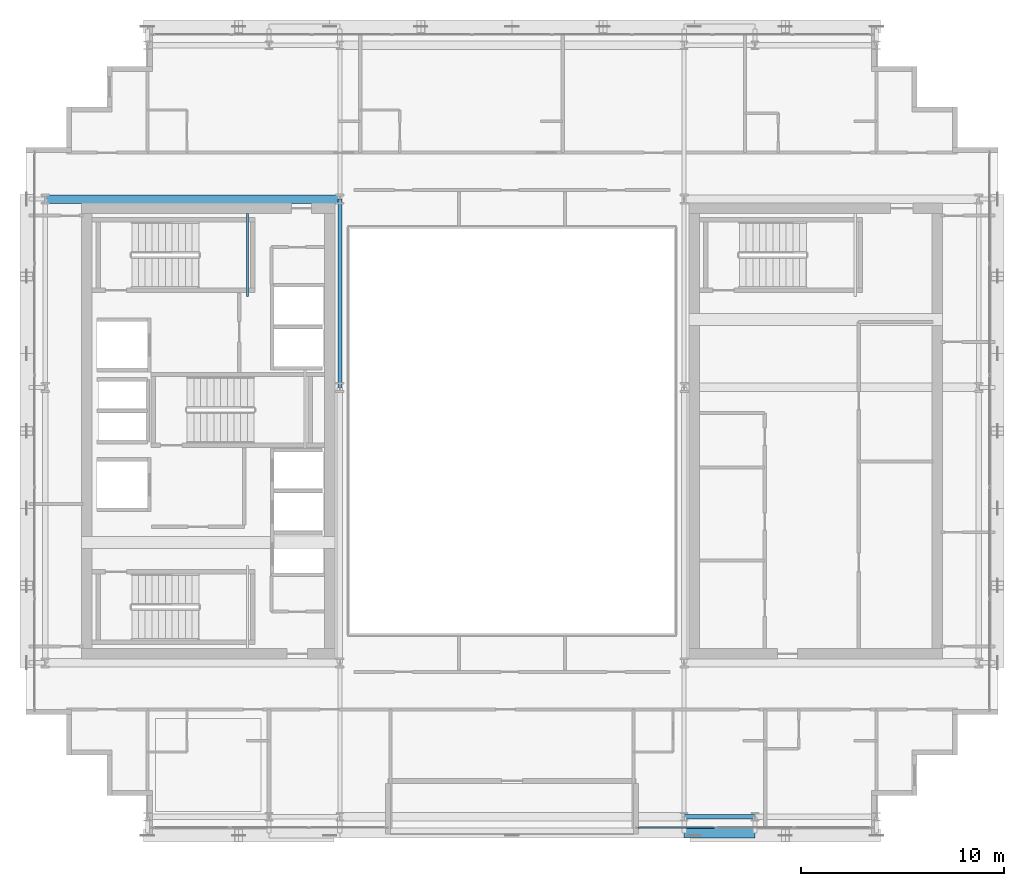
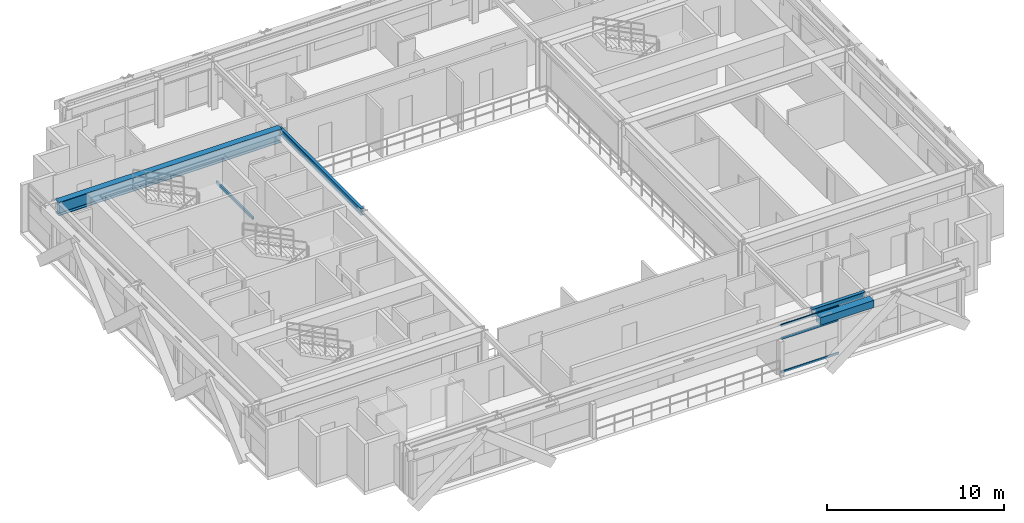
# One storey, part 9 of 32: 5 beams, 3 members, 1 element without a shape of its own.
"""IFC4 building model written with IfcOpenShell, lengths in metres."""

import ifcopenshell
import ifcopenshell.guid

model = None  # the IFC model being written
_history = None  # IfcOwnerHistory: only IFC2X3 demands one
_inside = {}  # id of a spatial element -> (the spatial element, [elements in it])
_under = {}  # id of a project, library or spatial element -> (it, [spatial elements below it])
_declared = {}  # id of a project -> (the project, [libraries it declares])
_typed = {}  # id of a type object -> (the type object, [elements of that type])
_made_of = {}  # id of a material, layer set ... -> (it, [elements and type objects made of it])


def new_model(schema):
    """Start an empty IFC model of exactly this schema.

    Asked for "IFC4X3", IfcOpenShell would pick the latest addendum, in which some entities
    have other attributes; the version numbers below select the first issue.
    IFC2X3 requires an IfcOwnerHistory on every rooted entity: one is made here for all.
    """
    global model, _history
    if schema == "IFC4X3":
        model = ifcopenshell.file(schema_version=(4, 3, 0, 0))
    else:
        model = ifcopenshell.file(schema=schema)
    _inside.clear()
    _under.clear()
    _declared.clear()
    _typed.clear()
    _made_of.clear()
    _history = None
    if model.schema == "IFC2X3":
        org = make("IfcOrganization", Name="unknown")
        user = make(
            "IfcPersonAndOrganization",
            ThePerson=make("IfcPerson", FamilyName="unknown"),
            TheOrganization=org,
        )
        app = make(
            "IfcApplication",
            ApplicationDeveloper=org,
            Version="unknown",
            ApplicationFullName="unknown",
            ApplicationIdentifier="unknown",
        )
        _history = make(
            "IfcOwnerHistory",
            OwningUser=user,
            OwningApplication=app,
            ChangeAction="ADDED",
            CreationDate=0,
        )
    return model


def make(cls, **values):
    """One entity of the class cls with the attributes given. An attribute that is None is left unset."""
    return model.create_entity(
        cls, **{name: value for name, value in values.items() if value is not None}
    )


def rooted(cls, **values):
    """An entity with a GlobalId (a new one), such as an element, a storey or a relation."""
    return make(cls, GlobalId=ifcopenshell.guid.new(), OwnerHistory=_history, **values)


def si_unit(unit_type, name, prefix=None):
    """IfcSIUnit, for example si_unit("LENGTHUNIT", "METRE", prefix="MILLI")."""
    return make("IfcSIUnit", UnitType=unit_type, Prefix=prefix, Name=name)


def assignment(units):
    """IfcUnitAssignment: the units of a project."""
    return None if units is None else make("IfcUnitAssignment", Units=units)


def point(xyz):
    """IfcCartesianPoint."""
    return None if xyz is None else make("IfcCartesianPoint", Coordinates=xyz)


def direction(xyz):
    """IfcDirection."""
    return None if xyz is None else make("IfcDirection", DirectionRatios=xyz)


def frame(location, z_axis=None, x_axis=None):
    """IfcAxis2Placement3D, a coordinate frame: its origin and axes. An axis left out is left unset."""
    return make(
        "IfcAxis2Placement3D",
        Location=point(location),
        Axis=direction(z_axis),
        RefDirection=direction(x_axis),
    )


def frame_2d(location, x_axis=None):
    """IfcAxis2Placement2D, a coordinate frame in the plane: its origin and x axis."""
    return make(
        "IfcAxis2Placement2D", Location=point(location), RefDirection=direction(x_axis)
    )


def origin():
    """The frame at (0, 0, 0) with its axes left unset."""
    return frame((0.0, 0.0, 0.0))


def origin_2d():
    """The frame at (0, 0) in the plane with its x axis left unset."""
    return frame_2d((0.0, 0.0))


def place(relative_to, where):
    """IfcLocalPlacement: puts the frame where relative to a parent placement (None: the world)."""
    return make(
        "IfcLocalPlacement", PlacementRelTo=relative_to, RelativePlacement=where
    )


def context(
    kind, dimensions, precision=None, world=None, true_north=None, identifier=None
):
    """IfcGeometricRepresentationContext, for example the 3D "Model" context."""
    return make(
        "IfcGeometricRepresentationContext",
        ContextIdentifier=identifier,
        ContextType=kind,
        CoordinateSpaceDimension=dimensions,
        Precision=precision,
        WorldCoordinateSystem=world,
        TrueNorth=true_north,
    )


def subcontext(parent, identifier, kind, view, scale=None):
    """IfcGeometricRepresentationSubContext, for example "Body" below "Model"."""
    return make(
        "IfcGeometricRepresentationSubContext",
        ContextIdentifier=identifier,
        ContextType=kind,
        ParentContext=parent,
        TargetScale=scale,
        TargetView=view,
    )


def project(units=None, contexts=None):
    """IfcProject with its units and contexts."""
    return rooted(
        "IfcProject",
        Name="project",
        RepresentationContexts=contexts,
        UnitsInContext=assignment(units),
    )


def spatial(cls, under=None, at=None, **own):
    """A site, building, storey or space (cls), placed at a placement, below another one or the project."""
    s = rooted(cls, ObjectPlacement=at, **own)
    if under is not None:
        _under.setdefault(under.id(), (under, []))[1].append(s)
    return s


def profile(cls, at=None, kind="AREA", **sizes):
    """A parametric profile (cls). Its sizes go by their IFC names, for example OverallWidth=200.0."""
    return make(cls, ProfileType=kind, Position=at, **sizes)


def hollow_rectangle(**sizes):
    """IfcRectangleHollowProfileDef."""
    return profile("IfcRectangleHollowProfileDef", **sizes)


def i_section(**sizes):
    """IfcIShapeProfileDef."""
    return profile("IfcIShapeProfileDef", **sizes)


def extrude(swept, where, along, depth):
    """IfcExtrudedAreaSolid: the profile swept, set in the frame where, extruded along a direction by depth."""
    return make(
        "IfcExtrudedAreaSolid",
        SweptArea=swept,
        Position=where,
        ExtrudedDirection=direction(along),
        Depth=depth,
    )


def shape(context_of_items, identifier, shape_type, items):
    """IfcShapeRepresentation: the items that make up one representation, for example the "Body"."""
    return make(
        "IfcShapeRepresentation",
        ContextOfItems=context_of_items,
        RepresentationIdentifier=identifier,
        RepresentationType=shape_type,
        Items=items,
    )


def source(mapping_origin, context_of_items, identifier, shape_type, items):
    """IfcRepresentationMap: a shape defined once, which mapped items show again and again."""
    return make(
        "IfcRepresentationMap",
        MappingOrigin=mapping_origin,
        MappedRepresentation=shape(context_of_items, identifier, shape_type, items),
    )


def transform(
    local_origin,
    x_axis=None,
    y_axis=None,
    z_axis=None,
    scale=None,
    scale2=None,
    scale3=None,
    uniform=True,
):
    """IfcCartesianTransformationOperator3D, or its non-uniform kind. x_axis, y_axis, z_axis: its Axis1, 2, 3."""
    if uniform:
        return make(
            "IfcCartesianTransformationOperator3D",
            Axis1=direction(x_axis),
            Axis2=direction(y_axis),
            LocalOrigin=point(local_origin),
            Scale=scale,
            Axis3=direction(z_axis),
        )
    return make(
        "IfcCartesianTransformationOperator3DnonUniform",
        Axis1=direction(x_axis),
        Axis2=direction(y_axis),
        LocalOrigin=point(local_origin),
        Scale=scale,
        Axis3=direction(z_axis),
        Scale2=scale2,
        Scale3=scale3,
    )


def mapped(mapping_source, mapping_target):
    """IfcMappedItem: shows the shape of a source again, moved by a transform."""
    return make(
        "IfcMappedItem", MappingSource=mapping_source, MappingTarget=mapping_target
    )


def material(Name=None, Category=None):
    """IfcMaterial."""
    return make("IfcMaterial", Name=Name, Category=Category)


def layer(
    of_material, thickness, ventilated=None, Name=None, Category=None, Priority=None
):
    """IfcMaterialLayer: one layer of a wall or slab, of a material (None: an air gap)."""
    return make(
        "IfcMaterialLayer",
        Material=of_material,
        LayerThickness=thickness,
        IsVentilated=ventilated,
        Name=Name,
        Category=Category,
        Priority=Priority,
    )


def layer_set(layers, Name=None):
    """IfcMaterialLayerSet."""
    return make("IfcMaterialLayerSet", MaterialLayers=layers, LayerSetName=Name)


def material_profile(
    of_material, cross_section, Name=None, Category=None, Priority=None
):
    """IfcMaterialProfile: a cross section and its material."""
    return make(
        "IfcMaterialProfile",
        Name=Name,
        Material=of_material,
        Profile=cross_section,
        Priority=Priority,
        Category=Category,
    )


def profile_set(profiles, Name=None, composite=None):
    """IfcMaterialProfileSet."""
    return make(
        "IfcMaterialProfileSet",
        Name=Name,
        MaterialProfiles=profiles,
        CompositeProfile=composite,
    )


def made_of(thing, what):
    """Note that an element or type object is made of a material, layer set ...; save() writes the relation."""
    if what is not None:
        _made_of.setdefault(what.id(), (what, []))[1].append(thing)
    return thing


def type_object(cls, material=None, **own):
    """A type object (cls), such as IfcWallType, which elements share."""
    return made_of(rooted(cls, **own), material)


def element(
    cls,
    number,
    at=None,
    inside=None,
    cuts=None,
    type_object=None,
    material=None,
    context=None,
    identifier="Body",
    shape_type=None,
    held_by="IfcProductDefinitionShape",
    body=None,
    shapes=None,
    **own,
):
    """One element of the class cls, such as IfcWall. Its Tag is "e" and its number.

    at: its placement. inside: the storey or other place that contains it. cuts: it is an
    opening in that element (IfcRelVoidsElement). A single representation is given by context,
    identifier, shape_type and body (its items); several are given by shapes. held_by: the class
    of the entity that holds the representations. save() writes the other relations.
    """
    e = rooted(cls, Tag="e%d" % number, ObjectPlacement=at, **own)
    if body is not None:
        shapes = [shape(context, identifier, shape_type, body)]
    if shapes is not None:
        e.Representation = make(held_by, Representations=shapes)
    if inside is not None:
        _inside.setdefault(inside.id(), (inside, []))[1].append(e)
    if cuts is not None:
        rooted(
            "IfcRelVoidsElement", RelatingBuildingElement=cuts, RelatedOpeningElement=e
        )
    if type_object is not None:
        _typed.setdefault(type_object.id(), (type_object, []))[1].append(e)
    return made_of(e, material)


def aggregate(whole, parts):
    """IfcRelAggregates: a whole, such as a stair, and the parts it consists of."""
    return rooted("IfcRelAggregates", RelatingObject=whole, RelatedObjects=parts)


def save(model, path):
    """Write the relations noted so far, then the file.

    IfcRelAggregates (storeys below a building ...), IfcRelContainedInSpatialStructure (elements
    in a storey), IfcRelDefinesByType, IfcRelAssociatesMaterial and IfcRelDeclares: one each for
    every whole, place, type object, material and project.
    """
    for whole, parts in _under.values():
        aggregate(whole, parts)
    for where, things in _inside.values():
        rooted(
            "IfcRelContainedInSpatialStructure",
            RelatedElements=things,
            RelatingStructure=where,
        )
    for kind, things in _typed.values():
        rooted("IfcRelDefinesByType", RelatedObjects=things, RelatingType=kind)
    for what, things in _made_of.values():
        rooted("IfcRelAssociatesMaterial", RelatedObjects=things, RelatingMaterial=what)
    for by, libraries in _declared.values():
        rooted("IfcRelDeclares", RelatingContext=by, RelatedDefinitions=libraries)
    model.write(path)


model = new_model("IFC4")

# Units and contexts
model_context = context("Model", 3, precision=1e-05, world=origin(), true_north=direction((0.0, 1.0)))
body_context = subcontext(model_context, "Body", "Model", "MODEL_VIEW")
ifc_project = project(units=[si_unit("LENGTHUNIT", "METRE"), si_unit("AREAUNIT", "SQUARE_METRE"), si_unit("VOLUMEUNIT", "CUBIC_METRE"), si_unit("PLANEANGLEUNIT", "RADIAN"), si_unit("MASSUNIT", "GRAM", prefix="KILO")], contexts=[model_context])

# Site, building, storey
site_placement = place(None, origin())
site = spatial("IfcSite", under=ifc_project, at=site_placement, CompositionType="ELEMENT")
building_placement = place(site_placement, origin())
building = spatial("IfcBuilding", under=site, at=building_placement, Name="Ocotamira Hotel", CompositionType="ELEMENT")
storey_placement = place(building_placement, frame((0.0, 0.0, 217.199951171875)))
storey = spatial("IfcBuildingStorey", under=building, at=storey_placement, Name="L55", CompositionType="ELEMENT", Elevation=217.199951171875)

# Beams
ifc_material_1 = material(Name="Steel ASTM A500 Grade C", Category="steel")
ifc_material_profile_1 = material_profile(ifc_material_1, hollow_rectangle(XDim=0.10009765625, YDim=0.199951171875, WallThickness=0.008056640625, at=origin_2d()), Name="HSS200X100X8")
ifc_profile_set_1 = profile_set([ifc_material_profile_1], Name="Steel ASTM A500 Grade C")
beam_type_1 = type_object("IfcBeamType", Name="BM-STLDG-HSS200", PredefinedType="BEAM", material=ifc_profile_set_1)
shared_shape_1 = source(origin(), body_context, "Body", "SweptSolid", [
    extrude(hollow_rectangle(XDim=0.10009765625, YDim=0.199951171875, WallThickness=0.008056640625, at=origin_2d()), origin(), (0.0, 0.0, 1.0), 4.1201171875),
])
beam_1_placement = place(storey_placement, frame((18.949951171875, 32.6298828125, 1.5), z_axis=(0.0, 1.0, 0.0), x_axis=(-1.0, 0.0, 0.0)))
element("IfcBeam", 1, at=beam_1_placement, inside=storey, type_object=beam_type_1, Name="L55 Stair ST-2 Landing Bearer 1", PredefinedType="BEAM", context=body_context, shape_type="MappedRepresentation", body=[
    mapped(shared_shape_1, transform((0.0, 0.0, 0.0), scale=1.0)),
])
ifc_material_2 = material(Name="Steel ASTM A992 Grade 50", Category="steel")
ifc_material_profile_2 = material_profile(ifc_material_2, i_section(OverallWidth=0.41796875, OverallDepth=0.927001953125, WebThickness=0.019287109375, FlangeThickness=0.031982421875, FilletRadius=0.02392578125, at=origin_2d()), Name="W36X231")
ifc_profile_set_2 = profile_set([ifc_material_profile_2], Name="Steel ASTM A992 Grade 50")
beam_type_2 = type_object("IfcBeamType", Name="BM-GIRD-W36X231", PredefinedType="BEAM", material=ifc_profile_set_2)
shared_shape_2 = source(origin(), body_context, "Body", "SweptSolid", [
    extrude(i_section(OverallWidth=0.41796875, OverallDepth=0.927001953125, WebThickness=0.019287109375, FlangeThickness=0.031982421875, FilletRadius=0.02392578125, at=origin_2d()), origin(), (0.0, 0.0, 1.0), 14.550048828125),
])
beam_2_placement = place(storey_placement, frame((8.949951171875, 37.449951171875, 2.816650390625), z_axis=(1.0, 0.0, 0.0), x_axis=(0.0, 1.0, 0.0)))
element("IfcBeam", 2, at=beam_2_placement, inside=storey, type_object=beam_type_2, Name="L55 Girder Y37.45 X8.95-23.5", PredefinedType="BEAM", context=body_context, shape_type="MappedRepresentation", body=[
    mapped(shared_shape_2, transform((0.0, 0.0, 0.0), scale=1.0)),
])
ifc_material_profile_3 = material_profile(ifc_material_2, i_section(OverallWidth=0.2099609375, OverallDepth=0.537109375, WebThickness=0.010986328125, FlangeThickness=0.017333984375, FilletRadius=0.012939453125, at=origin_2d()), Name="W21X68")
ifc_profile_set_3 = profile_set([ifc_material_profile_3], Name="Steel ASTM A992 Grade 50")
beam_type_3 = type_object("IfcBeamType", Name="BM-SEC-W21X68", PredefinedType="JOIST", material=ifc_profile_set_3)
shared_shape_3 = source(origin(), body_context, "Body", "SweptSolid", [
    extrude(i_section(OverallWidth=0.2099609375, OverallDepth=0.537109375, WebThickness=0.010986328125, FlangeThickness=0.017333984375, FilletRadius=0.012939453125, at=origin_2d()), origin(), (0.0, 0.0, 1.0), 3.5),
])
beam_3_placement = place(storey_placement, frame((40.5, 6.949951171875, 3.011474609375), z_axis=(1.0, 0.0, 0.0), x_axis=(0.0, 1.0, 0.0)))
element("IfcBeam", 3, at=beam_3_placement, inside=storey, type_object=beam_type_3, Name="L55 Girder Y6.95 X40.5-44", PredefinedType="JOIST", context=body_context, shape_type="MappedRepresentation", body=[
    mapped(shared_shape_3, transform((0.0, 0.0, 0.0), scale=1.0)),
])
ifc_material_profile_4 = material_profile(ifc_material_2, i_section(OverallWidth=0.18994140625, OverallDepth=0.45703125, WebThickness=0.009033203125, FlangeThickness=0.014404296875, FilletRadius=0.010009765625, at=origin_2d()), Name="W18X50")
ifc_profile_set_4 = profile_set([ifc_material_profile_4], Name="Steel ASTM A992 Grade 50")
beam_type_4 = type_object("IfcBeamType", Name="BM-SEC-W18X50", PredefinedType="JOIST", material=ifc_profile_set_4)
shared_shape_4 = source(origin(), body_context, "Body", "SweptSolid", [
    extrude(i_section(OverallWidth=0.18994140625, OverallDepth=0.45703125, WebThickness=0.009033203125, FlangeThickness=0.014404296875, FilletRadius=0.010009765625, at=origin_2d()), origin(), (0.0, 0.0, 1.0), 9.300048828125),
])
beam_4_placement = place(storey_placement, frame((23.5, 28.14990234375, 3.051513671875), z_axis=(0.0, 1.0, 0.0), x_axis=(-1.0, 0.0, 0.0)))
element("IfcBeam", 4, at=beam_4_placement, inside=storey, type_object=beam_type_4, Name="L55 Beam X23.5 Y28.15-37.45", PredefinedType="JOIST", context=body_context, shape_type="MappedRepresentation", body=[
    mapped(shared_shape_4, transform((0.0, 0.0, 0.0), scale=1.0)),
])
ifc_material_profile_5 = material_profile(ifc_material_1, hollow_rectangle(XDim=0.5, YDim=0.5, WallThickness=0.02001953125, at=origin_2d()), Name="HSS500X500X20")
ifc_profile_set_5 = profile_set([ifc_material_profile_5], Name="Steel ASTM A500 Grade C")
beam_type_5 = type_object("IfcBeamType", Name="BM-SPAN-HSS500", PredefinedType="USERDEFINED", material=ifc_profile_set_5)
shared_shape_5 = source(origin(), body_context, "Body", "SweptSolid", [
    extrude(hollow_rectangle(XDim=0.5, YDim=0.5, WallThickness=0.02001953125, at=origin_2d()), origin(), (0.0, 0.0, 1.0), 3.5),
])
beam_5_placement = place(storey_placement, frame((40.5, 6.14990234375, 3.030029296875), z_axis=(1.0, 0.0, 0.0), x_axis=(0.0, 1.0, 0.0)))
element("IfcBeam", 5, at=beam_5_placement, inside=storey, type_object=beam_type_5, Name="L55 Edge Spandrel S X40.5-44", ObjectType="SPANDREL", PredefinedType="USERDEFINED", context=body_context, shape_type="MappedRepresentation", body=[
    mapped(shared_shape_5, transform((0.0, 0.0, 0.0), scale=1.0)),
])

# Curtain wall, members
ifc_material_3 = material(Name="Anodised pale-metal aluminium and solar glass", Category="aluminium")
ifc_layer = layer(ifc_material_3, 0.199951171875)
ifc_layer_set = layer_set([ifc_layer], Name="Anodised pale-metal aluminium and solar glass")
curtain_wall_type = type_object("IfcCurtainWallType", Name="CW-SYS4-Z3", PredefinedType="NOTDEFINED", material=ifc_layer_set)
curtain_wall_placement = place(storey_placement, origin())
curtain_wall = element("IfcCurtainWall", 6, at=curtain_wall_placement, inside=storey, type_object=curtain_wall_type, Name="L55 Curtain Wall CW-4 CW-L55-S2", PredefinedType="NOTDEFINED")
ifc_material_4 = material(Name="Anodised pale-metal aluminium 6063-T6", Category="aluminium")
ifc_material_profile_6 = material_profile(ifc_material_4, hollow_rectangle(XDim=0.074951171875, YDim=0.14990234375, WallThickness=0.006103515625, at=origin_2d()), Name="HSS150X75X6")
ifc_profile_set_6 = profile_set([ifc_material_profile_6], Name="Anodised pale-metal aluminium 6063-T6")
member_type = type_object("IfcMemberType", Name="CWT-150X75", PredefinedType="USERDEFINED", material=ifc_profile_set_6)
shared_shape_6 = source(origin(), body_context, "Body", "SweptSolid", [
    extrude(hollow_rectangle(XDim=0.074951171875, YDim=0.14990234375, WallThickness=0.006103515625, at=origin_2d()), origin(), (0.0, 0.0, 1.0), 3.763427734375),
])
member_1_placement = place(storey_placement, frame((38.22998046875, 6.419921875, 0.03759765625), z_axis=(1.0, 0.0, 0.0), x_axis=(0.0, 1.0, 0.0)))
member_1 = element("IfcMember", 7, at=member_1_placement, type_object=member_type, Name="CW-4 transom 1.1", ObjectType="TRANSOM", PredefinedType="USERDEFINED", context=body_context, shape_type="MappedRepresentation", body=[
    mapped(shared_shape_6, transform((0.0, 0.0, 0.0), scale=1.0)),
])
member_2_placement = place(storey_placement, frame((38.22998046875, 6.419921875, 2.35009765625), z_axis=(1.0, 0.0, 0.0), x_axis=(0.0, 1.0, 0.0)))
member_2 = element("IfcMember", 8, at=member_2_placement, type_object=member_type, Name="CW-4 transom 1.2", ObjectType="TRANSOM", PredefinedType="USERDEFINED", context=body_context, shape_type="MappedRepresentation", body=[
    mapped(shared_shape_6, transform((0.0, 0.0, 0.0), scale=1.0)),
])
member_3_placement = place(storey_placement, frame((38.22998046875, 6.419921875, 3.242431640625), z_axis=(1.0, 0.0, 0.0), x_axis=(0.0, 1.0, 0.0)))
member_3 = element("IfcMember", 9, at=member_3_placement, type_object=member_type, Name="CW-4 transom 1.3", ObjectType="TRANSOM", PredefinedType="USERDEFINED", context=body_context, shape_type="MappedRepresentation", body=[
    mapped(shared_shape_6, transform((0.0, 0.0, 0.0), scale=1.0)),
])
aggregate(curtain_wall, [member_1, member_2, member_3])

save(model, "model.ifc")
